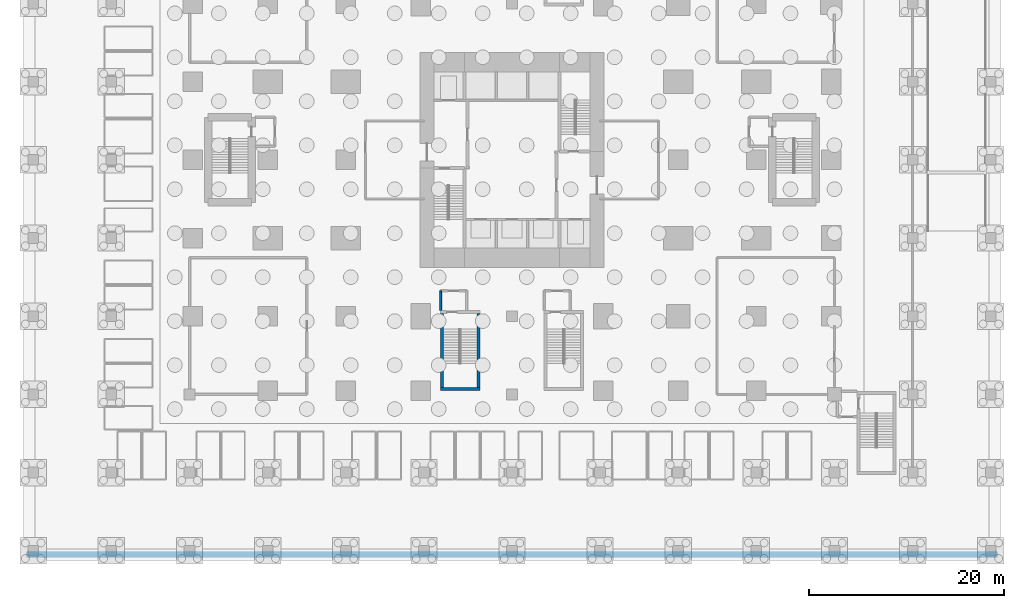
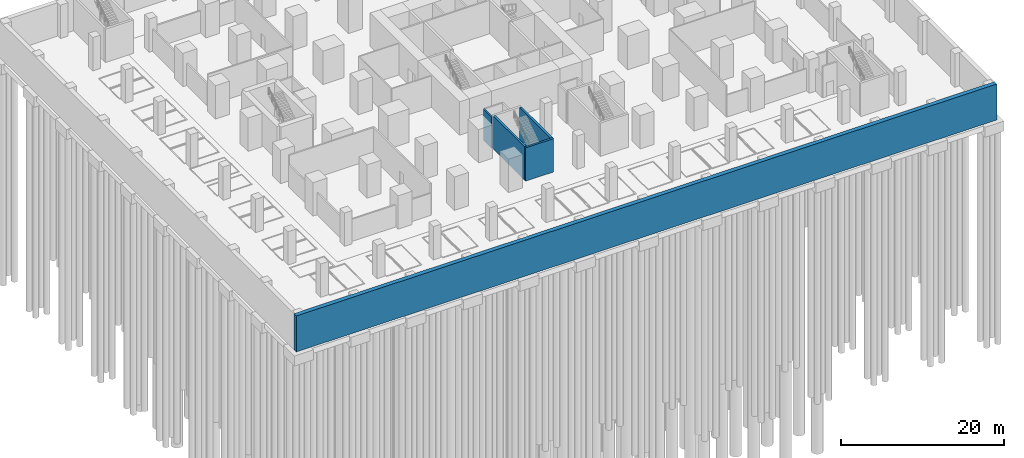
# One storey, part 6 of 17: 5 walls.
"""IFC4 building model written with IfcOpenShell, lengths in metres."""

import ifcopenshell
import ifcopenshell.guid

model = None  # the IFC model being written
_history = None  # IfcOwnerHistory: only IFC2X3 demands one
_inside = {}  # id of a spatial element -> (the spatial element, [elements in it])
_under = {}  # id of a project, library or spatial element -> (it, [spatial elements below it])
_declared = {}  # id of a project -> (the project, [libraries it declares])
_typed = {}  # id of a type object -> (the type object, [elements of that type])
_made_of = {}  # id of a material, layer set ... -> (it, [elements and type objects made of it])


def new_model(schema):
    """Start an empty IFC model of exactly this schema.

    Asked for "IFC4X3", IfcOpenShell would pick the latest addendum, in which some entities
    have other attributes; the version numbers below select the first issue.
    IFC2X3 requires an IfcOwnerHistory on every rooted entity: one is made here for all.
    """
    global model, _history
    if schema == "IFC4X3":
        model = ifcopenshell.file(schema_version=(4, 3, 0, 0))
    else:
        model = ifcopenshell.file(schema=schema)
    _inside.clear()
    _under.clear()
    _declared.clear()
    _typed.clear()
    _made_of.clear()
    _history = None
    if model.schema == "IFC2X3":
        org = make("IfcOrganization", Name="unknown")
        user = make(
            "IfcPersonAndOrganization",
            ThePerson=make("IfcPerson", FamilyName="unknown"),
            TheOrganization=org,
        )
        app = make(
            "IfcApplication",
            ApplicationDeveloper=org,
            Version="unknown",
            ApplicationFullName="unknown",
            ApplicationIdentifier="unknown",
        )
        _history = make(
            "IfcOwnerHistory",
            OwningUser=user,
            OwningApplication=app,
            ChangeAction="ADDED",
            CreationDate=0,
        )
    return model


def make(cls, **values):
    """One entity of the class cls with the attributes given. An attribute that is None is left unset."""
    return model.create_entity(
        cls, **{name: value for name, value in values.items() if value is not None}
    )


def rooted(cls, **values):
    """An entity with a GlobalId (a new one), such as an element, a storey or a relation."""
    return make(cls, GlobalId=ifcopenshell.guid.new(), OwnerHistory=_history, **values)


def si_unit(unit_type, name, prefix=None):
    """IfcSIUnit, for example si_unit("LENGTHUNIT", "METRE", prefix="MILLI")."""
    return make("IfcSIUnit", UnitType=unit_type, Prefix=prefix, Name=name)


def assignment(units):
    """IfcUnitAssignment: the units of a project."""
    return None if units is None else make("IfcUnitAssignment", Units=units)


def point(xyz):
    """IfcCartesianPoint."""
    return None if xyz is None else make("IfcCartesianPoint", Coordinates=xyz)


def direction(xyz):
    """IfcDirection."""
    return None if xyz is None else make("IfcDirection", DirectionRatios=xyz)


def frame(location, z_axis=None, x_axis=None):
    """IfcAxis2Placement3D, a coordinate frame: its origin and axes. An axis left out is left unset."""
    return make(
        "IfcAxis2Placement3D",
        Location=point(location),
        Axis=direction(z_axis),
        RefDirection=direction(x_axis),
    )


def frame_2d(location, x_axis=None):
    """IfcAxis2Placement2D, a coordinate frame in the plane: its origin and x axis."""
    return make(
        "IfcAxis2Placement2D", Location=point(location), RefDirection=direction(x_axis)
    )


def origin():
    """The frame at (0, 0, 0) with its axes left unset."""
    return frame((0.0, 0.0, 0.0))


def place(relative_to, where):
    """IfcLocalPlacement: puts the frame where relative to a parent placement (None: the world)."""
    return make(
        "IfcLocalPlacement", PlacementRelTo=relative_to, RelativePlacement=where
    )


def context(
    kind, dimensions, precision=None, world=None, true_north=None, identifier=None
):
    """IfcGeometricRepresentationContext, for example the 3D "Model" context."""
    return make(
        "IfcGeometricRepresentationContext",
        ContextIdentifier=identifier,
        ContextType=kind,
        CoordinateSpaceDimension=dimensions,
        Precision=precision,
        WorldCoordinateSystem=world,
        TrueNorth=true_north,
    )


def subcontext(parent, identifier, kind, view, scale=None):
    """IfcGeometricRepresentationSubContext, for example "Body" below "Model"."""
    return make(
        "IfcGeometricRepresentationSubContext",
        ContextIdentifier=identifier,
        ContextType=kind,
        ParentContext=parent,
        TargetScale=scale,
        TargetView=view,
    )


def project(units=None, contexts=None):
    """IfcProject with its units and contexts."""
    return rooted(
        "IfcProject",
        Name="project",
        RepresentationContexts=contexts,
        UnitsInContext=assignment(units),
    )


def spatial(cls, under=None, at=None, **own):
    """A site, building, storey or space (cls), placed at a placement, below another one or the project."""
    s = rooted(cls, ObjectPlacement=at, **own)
    if under is not None:
        _under.setdefault(under.id(), (under, []))[1].append(s)
    return s


def profile(cls, at=None, kind="AREA", **sizes):
    """A parametric profile (cls). Its sizes go by their IFC names, for example OverallWidth=200.0."""
    return make(cls, ProfileType=kind, Position=at, **sizes)


def rectangle(**sizes):
    """IfcRectangleProfileDef."""
    return profile("IfcRectangleProfileDef", **sizes)


def extrude(swept, where, along, depth):
    """IfcExtrudedAreaSolid: the profile swept, set in the frame where, extruded along a direction by depth."""
    return make(
        "IfcExtrudedAreaSolid",
        SweptArea=swept,
        Position=where,
        ExtrudedDirection=direction(along),
        Depth=depth,
    )


def shape(context_of_items, identifier, shape_type, items):
    """IfcShapeRepresentation: the items that make up one representation, for example the "Body"."""
    return make(
        "IfcShapeRepresentation",
        ContextOfItems=context_of_items,
        RepresentationIdentifier=identifier,
        RepresentationType=shape_type,
        Items=items,
    )


def material(Name=None, Category=None):
    """IfcMaterial."""
    return make("IfcMaterial", Name=Name, Category=Category)


def layer(
    of_material, thickness, ventilated=None, Name=None, Category=None, Priority=None
):
    """IfcMaterialLayer: one layer of a wall or slab, of a material (None: an air gap)."""
    return make(
        "IfcMaterialLayer",
        Material=of_material,
        LayerThickness=thickness,
        IsVentilated=ventilated,
        Name=Name,
        Category=Category,
        Priority=Priority,
    )


def layer_set(layers, Name=None):
    """IfcMaterialLayerSet."""
    return make("IfcMaterialLayerSet", MaterialLayers=layers, LayerSetName=Name)


def made_of(thing, what):
    """Note that an element or type object is made of a material, layer set ...; save() writes the relation."""
    if what is not None:
        _made_of.setdefault(what.id(), (what, []))[1].append(thing)
    return thing


def type_object(cls, material=None, **own):
    """A type object (cls), such as IfcWallType, which elements share."""
    return made_of(rooted(cls, **own), material)


def element(
    cls,
    number,
    at=None,
    inside=None,
    cuts=None,
    type_object=None,
    material=None,
    context=None,
    identifier="Body",
    shape_type=None,
    held_by="IfcProductDefinitionShape",
    body=None,
    shapes=None,
    **own,
):
    """One element of the class cls, such as IfcWall. Its Tag is "e" and its number.

    at: its placement. inside: the storey or other place that contains it. cuts: it is an
    opening in that element (IfcRelVoidsElement). A single representation is given by context,
    identifier, shape_type and body (its items); several are given by shapes. held_by: the class
    of the entity that holds the representations. save() writes the other relations.
    """
    e = rooted(cls, Tag="e%d" % number, ObjectPlacement=at, **own)
    if body is not None:
        shapes = [shape(context, identifier, shape_type, body)]
    if shapes is not None:
        e.Representation = make(held_by, Representations=shapes)
    if inside is not None:
        _inside.setdefault(inside.id(), (inside, []))[1].append(e)
    if cuts is not None:
        rooted(
            "IfcRelVoidsElement", RelatingBuildingElement=cuts, RelatedOpeningElement=e
        )
    if type_object is not None:
        _typed.setdefault(type_object.id(), (type_object, []))[1].append(e)
    return made_of(e, material)


def aggregate(whole, parts):
    """IfcRelAggregates: a whole, such as a stair, and the parts it consists of."""
    return rooted("IfcRelAggregates", RelatingObject=whole, RelatedObjects=parts)


def save(model, path):
    """Write the relations noted so far, then the file.

    IfcRelAggregates (storeys below a building ...), IfcRelContainedInSpatialStructure (elements
    in a storey), IfcRelDefinesByType, IfcRelAssociatesMaterial and IfcRelDeclares: one each for
    every whole, place, type object, material and project.
    """
    for whole, parts in _under.values():
        aggregate(whole, parts)
    for where, things in _inside.values():
        rooted(
            "IfcRelContainedInSpatialStructure",
            RelatedElements=things,
            RelatingStructure=where,
        )
    for kind, things in _typed.values():
        rooted("IfcRelDefinesByType", RelatedObjects=things, RelatingType=kind)
    for what, things in _made_of.values():
        rooted("IfcRelAssociatesMaterial", RelatedObjects=things, RelatingMaterial=what)
    for by, libraries in _declared.values():
        rooted("IfcRelDeclares", RelatingContext=by, RelatedDefinitions=libraries)
    model.write(path)


model = new_model("IFC4")

# Units and contexts
model_context = context("Model", 3, precision=1e-05, world=origin(), true_north=direction((0.0, 1.0)))
body_context = subcontext(model_context, "Body", "Model", "MODEL_VIEW")
ifc_project = project(units=[si_unit("LENGTHUNIT", "METRE"), si_unit("AREAUNIT", "SQUARE_METRE"), si_unit("VOLUMEUNIT", "CUBIC_METRE"), si_unit("PLANEANGLEUNIT", "RADIAN"), si_unit("MASSUNIT", "GRAM", prefix="KILO")], contexts=[model_context])

# Site, building, storey
site_placement = place(None, origin())
site = spatial("IfcSite", under=ifc_project, at=site_placement, CompositionType="ELEMENT")
building_placement = place(site_placement, origin())
building = spatial("IfcBuilding", under=site, at=building_placement, Name="Cleftline Residences", CompositionType="ELEMENT")
storey_placement = place(building_placement, frame((0.0, 0.0, -5.0)))
storey = spatial("IfcBuildingStorey", under=building, at=storey_placement, Name="L-01", CompositionType="ELEMENT", Elevation=-5.0)

# Walls
ifc_material_1 = material(Name="Concrete blockwork, fire rated", Category="masonry")
ifc_layer_1 = layer(ifc_material_1, 0.199951171875)
ifc_layer_set_1 = layer_set([ifc_layer_1], Name="FIRE WALL 200")
wall_type_1 = type_object("IfcWallType", Name="FIRE WALL 200", PredefinedType="PARTITIONING", material=ifc_layer_set_1)
wall_1_placement = place(storey_placement, frame((25.699951171875, 8.60009765625, 0.0), z_axis=(0.0, 0.0, 1.0), x_axis=(0.0, 1.0, 0.0)))
element("IfcWall", 1, at=wall_1_placement, inside=storey, type_object=wall_type_1, Name="Fire separating wall", PredefinedType="PARTITIONING", context=body_context, shape_type="SweptSolid", body=[
    extrude(rectangle(XDim=2.0, YDim=0.199951171875, at=frame_2d((1.0, 0.0))), origin(), (0.0, 0.0, 1.0), 4.699951171875),
])
ifc_material_2 = material(Name="Concrete B40", Category="concrete")
ifc_layer_2 = layer(ifc_material_2, 0.60009765625)
ifc_layer_set_2 = layer_set([ifc_layer_2], Name="RETAINING WALL 600")
wall_type_2 = type_object("IfcWallType", Name="RETAINING WALL 600", PredefinedType="USERDEFINED", material=ifc_layer_set_2)
wall_2_placement = place(storey_placement, frame((-16.699951171875, -16.39990234375, -0.39990234375), z_axis=(0.0, 0.0, 1.0), x_axis=(1.0, 0.0, 0.0)))
element("IfcWall", 2, at=wall_2_placement, inside=storey, type_object=wall_type_2, Name="Basement retaining wall", ObjectType="RETAINING WALL", PredefinedType="USERDEFINED", context=body_context, shape_type="SweptSolid", body=[
    extrude(rectangle(XDim=99.39990234375, YDim=0.60009765625, at=frame_2d((49.699951171875, 0.0))), origin(), (0.0, 0.0, 1.0), 5.39990234375),
])
ifc_material_3 = material(Name="Concrete blockwork, fire rated", Category="masonry")
ifc_layer_3 = layer(ifc_material_3, 0.300048828125)
ifc_layer_set_3 = layer_set([ifc_layer_3], Name="STAIR ENCLOSURE WALL 300")
wall_type_3 = type_object("IfcWallType", Name="STAIR ENCLOSURE WALL 300", PredefinedType="PARTITIONING", material=ifc_layer_set_3)
wall_3_placement = place(storey_placement, frame((25.699951171875, 0.550048828125, 0.0), z_axis=(0.0, 0.0, 1.0), x_axis=(1.0, 0.0, 0.0)))
element("IfcWall", 3, at=wall_3_placement, inside=storey, type_object=wall_type_3, Name="Stair C enclosure", PredefinedType="PARTITIONING", context=body_context, shape_type="SweptSolid", body=[
    extrude(rectangle(XDim=4.0, YDim=0.300048828125, at=frame_2d((2.0, 0.0))), origin(), (0.0, 0.0, 1.0), 5.0),
])
for number, where, z_axis, x_axis, name in (
    (4, (25.85009765625, 0.699951171875, 0.0), (0.0, 0.0, 1.0), (0.0, 1.0, 0.0), "Stair C enclosure"),
    (5, (29.550048828125, 0.699951171875, 0.0), (0.0, 0.0, 1.0), (0.0, 1.0, 0.0), "Stair C enclosure"),
):
    element("IfcWall", number, at=place(storey_placement, frame(where, z_axis=z_axis, x_axis=x_axis)), inside=storey, type_object=wall_type_3, Name=name, PredefinedType="PARTITIONING", context=body_context, shape_type="SweptSolid", body=[
        extrude(rectangle(XDim=7.60009765625, YDim=0.300048828125, at=frame_2d((3.800048828125, 0.0))), origin(), (0.0, 0.0, 1.0), 5.0),
    ])

save(model, "model.ifc")
